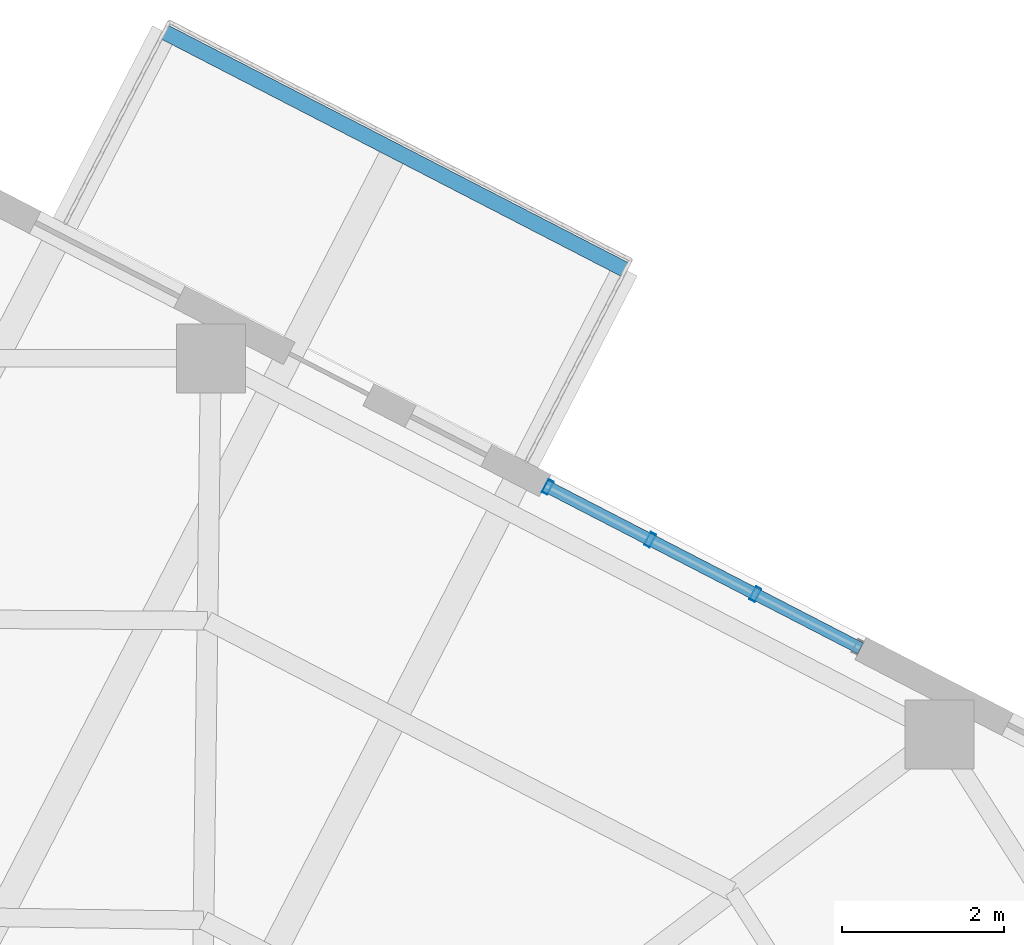
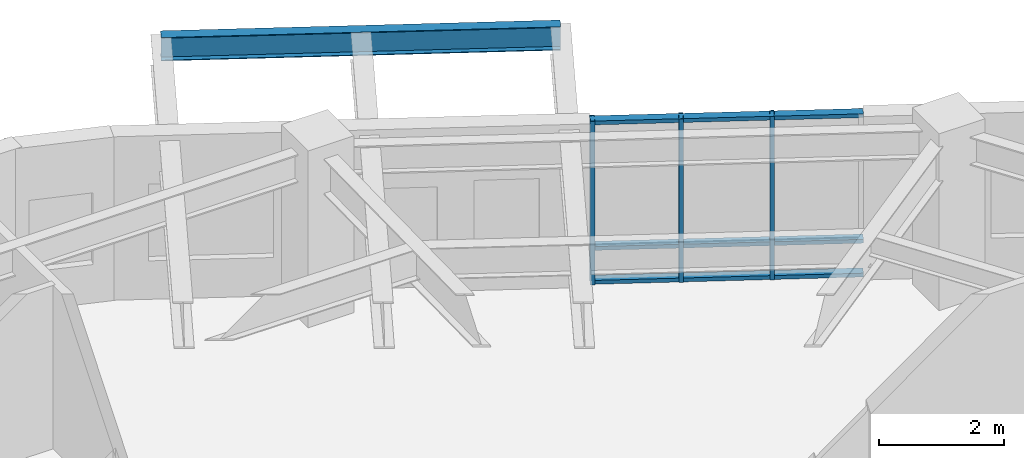
# One storey, part 3 of 11: 6 members, 1 beam, 1 element without a shape of its own.
"""IFC4 building model written with IfcOpenShell, lengths in metres."""

from ifc_helpers import new_model, si_unit, direction, frame, origin, origin_2d, place, context, subcontext, project, spatial, hollow_rectangle, i_section, extrude, material, layer, layer_set, material_profile, profile_set, type_object, element, aggregate, save


model = new_model("IFC4")

# Units and contexts
model_context = context("Model", 3, precision=1e-05, world=origin(), true_north=direction((0.0, 1.0)))
body_context = subcontext(model_context, "Body", "Model", "MODEL_VIEW")
ifc_project = project(units=[si_unit("LENGTHUNIT", "METRE"), si_unit("AREAUNIT", "SQUARE_METRE"), si_unit("VOLUMEUNIT", "CUBIC_METRE"), si_unit("PLANEANGLEUNIT", "RADIAN"), si_unit("MASSUNIT", "GRAM", prefix="KILO"), si_unit("THERMODYNAMICTEMPERATUREUNIT", "KELVIN"), si_unit("POWERUNIT", "WATT")], contexts=[model_context])

# Site, building, storey
site_placement = place(None, origin())
site = spatial("IfcSite", under=ifc_project, at=site_placement, CompositionType="ELEMENT")
building_placement = place(site_placement, origin())
building = spatial("IfcBuilding", under=site, at=building_placement, Name="Skarre Station Tower", CompositionType="ELEMENT")
storey_placement = place(building_placement, frame((0.0, 0.0, 167.10009765625)))
storey = spatial("IfcBuildingStorey", under=building, at=storey_placement, Name="L45", CompositionType="ELEMENT", Elevation=167.10009765625)

# Curtain wall, members
ifc_material_1 = material(Name="Thermally Broken Bronze-Anodized Aluminium & Triple Low-E Glass", Category="aluminium")
ifc_layer = layer(ifc_material_1, 0.18994140625, Name="Thermally Broken Bronze-Anodized Aluminium & Triple Low-E Glass")
ifc_layer_set = layer_set([ifc_layer], Name="Thermally Broken Bronze-Anodized Aluminium & Triple Low-E Glass")
curtain_wall_type = type_object("IfcCurtainWallType", Name="Sky-Garden Setback Conservatory Curtain Wall", PredefinedType="NOTDEFINED", material=ifc_layer_set)
curtain_wall_placement = place(storey_placement, origin())
curtain_wall = element("IfcCurtainWall", 1, at=curtain_wall_placement, inside=storey, type_object=curtain_wall_type, Name="L45 Facet 0 Conservatory Curtain Wall", PredefinedType="NOTDEFINED")
ifc_material_2 = material(Name="Anodized Aluminium 6063-T6", Category="aluminium")
ifc_material_profile_1 = material_profile(ifc_material_2, hollow_rectangle(XDim=0.074951171875, YDim=0.14990234375, WallThickness=0.00390625, at=origin_2d()), Name="Anodized Aluminium 6063-T6")
ifc_profile_set_1 = profile_set([ifc_material_profile_1], Name="Anodized Aluminium 6063-T6")
member_type_1 = type_object("IfcMemberType", Name="Curtain-Wall Secondary Transom 150x75", PredefinedType="USERDEFINED", material=ifc_profile_set_1)
member_1_placement = place(storey_placement, frame((43.717041015625, 39.321044921875, 0.039794921875), z_axis=(0.888583241467, -0.458715405218, 0.0), x_axis=(0.0, 0.0, 1.0)))
member_1 = element("IfcMember", 2, at=member_1_placement, type_object=member_type_1, Name="L45 Facet 0 Conservatory Curtain Wall Transom 1", ObjectType="TRANSOM", PredefinedType="USERDEFINED", context=body_context, shape_type="SweptSolid", body=[
    extrude(hollow_rectangle(XDim=0.074951171875, YDim=0.14990234375, WallThickness=0.00390625, at=origin_2d()), origin(), (0.0, 0.0, 1.0), 4.37548828125),
])
member_2_placement = place(storey_placement, frame((43.717041015625, 39.321044921875, 0.699951171875), z_axis=(0.888583241467, -0.458715405218, 0.0), x_axis=(0.0, 0.0, 1.0)))
member_2 = element("IfcMember", 3, at=member_2_placement, type_object=member_type_1, Name="L45 Facet 0 Conservatory Curtain Wall Transom 2", ObjectType="TRANSOM", PredefinedType="USERDEFINED", context=body_context, shape_type="SweptSolid", body=[
    extrude(hollow_rectangle(XDim=0.074951171875, YDim=0.14990234375, WallThickness=0.00390625, at=origin_2d()), origin(), (0.0, 0.0, 1.0), 4.37548828125),
])
member_3_placement = place(storey_placement, frame((43.717041015625, 39.321044921875, 3.14990234375), z_axis=(0.888583241467, -0.458715405218, 0.0), x_axis=(0.0, 0.0, 1.0)))
member_3 = element("IfcMember", 4, at=member_3_placement, type_object=member_type_1, Name="L45 Facet 0 Conservatory Curtain Wall Transom 3", ObjectType="TRANSOM", PredefinedType="USERDEFINED", context=body_context, shape_type="SweptSolid", body=[
    extrude(hollow_rectangle(XDim=0.074951171875, YDim=0.14990234375, WallThickness=0.00390625, at=origin_2d()), origin(), (0.0, 0.0, 1.0), 4.37548828125),
])
ifc_material_profile_2 = material_profile(ifc_material_2, hollow_rectangle(XDim=0.074951171875, YDim=0.179931640625, WallThickness=0.00390625, at=origin_2d()), Name="Anodized Aluminium 6063-T6")
ifc_profile_set_2 = profile_set([ifc_material_profile_2], Name="Anodized Aluminium 6063-T6")
member_type_2 = type_object("IfcMemberType", Name="Curtain-Wall Unitised Tower Mullion 180x75", PredefinedType="MULLION", material=ifc_profile_set_2)
member_4_placement = place(storey_placement, frame((43.7529296875, 39.302978515625, 0.0), z_axis=(0.0, 0.0, 1.0), x_axis=(0.888593216602, -0.458696081745, 0.0)))
member_4 = element("IfcMember", 5, at=member_4_placement, type_object=member_type_2, Name="L45 Facet 0 Conservatory Curtain Wall Mullion 1", PredefinedType="MULLION", context=body_context, shape_type="SweptSolid", body=[
    extrude(hollow_rectangle(XDim=0.074951171875, YDim=0.179931640625, WallThickness=0.00390625, at=origin_2d()), origin(), (0.0, 0.0, 1.0), 3.18994140625),
])
member_5_placement = place(storey_placement, frame((45.012939453125, 38.652099609375, 0.0), z_axis=(0.0, 0.0, 1.0), x_axis=(0.888593216602, -0.458696081745, 0.0)))
member_5 = element("IfcMember", 6, at=member_5_placement, type_object=member_type_2, Name="L45 Facet 0 Conservatory Curtain Wall Mullion 2", PredefinedType="MULLION", context=body_context, shape_type="SweptSolid", body=[
    extrude(hollow_rectangle(XDim=0.074951171875, YDim=0.179931640625, WallThickness=0.00390625, at=origin_2d()), origin(), (0.0, 0.0, 1.0), 3.18994140625),
])
member_6_placement = place(storey_placement, frame((46.30908203125, 37.98291015625, 0.0), z_axis=(0.0, 0.0, 1.0), x_axis=(0.888593216602, -0.458696081745, 0.0)))
member_6 = element("IfcMember", 7, at=member_6_placement, type_object=member_type_2, Name="L45 Facet 0 Conservatory Curtain Wall Mullion 3", PredefinedType="MULLION", context=body_context, shape_type="SweptSolid", body=[
    extrude(hollow_rectangle(XDim=0.074951171875, YDim=0.179931640625, WallThickness=0.00390625, at=origin_2d()), origin(), (0.0, 0.0, 1.0), 3.18994140625),
])
aggregate(curtain_wall, [member_4, member_5, member_6, member_1, member_2, member_3])

# Beam
ifc_material_3 = material(Name="Steel ASTM A992 Grade 50", Category="steel")
ifc_material_profile_3 = material_profile(ifc_material_3, i_section(OverallWidth=0.19091796875, OverallDepth=0.45703125, WebThickness=0.009033203125, FlangeThickness=0.013916015625, at=origin_2d()), Name="Steel ASTM A992 Grade 50")
ifc_profile_set_3 = profile_set([ifc_material_profile_3], Name="Steel ASTM A992 Grade 50")
beam_type = type_object("IfcBeamType", Name="Steel Joist W18X50", PredefinedType="JOIST", material=ifc_profile_set_3)
beam_placement = place(storey_placement, frame((39.02587890625, 44.909912109375, 2.85693359375), z_axis=(0.888611119601, -0.458661398116, 0.0), x_axis=(0.458661398116, 0.888611119601, 0.0)))
element("IfcBeam", 8, at=beam_placement, inside=storey, type_object=beam_type, Name="L45 SG-2-L46 Rim Beam", PredefinedType="JOIST", context=body_context, shape_type="SweptSolid", body=[
    extrude(i_section(OverallWidth=0.19091796875, OverallDepth=0.45703125, WebThickness=0.009033203125, FlangeThickness=0.013916015625, at=origin_2d()), origin(), (0.0, 0.0, 1.0), 6.394287109375),
])

save(model, "model.ifc")
